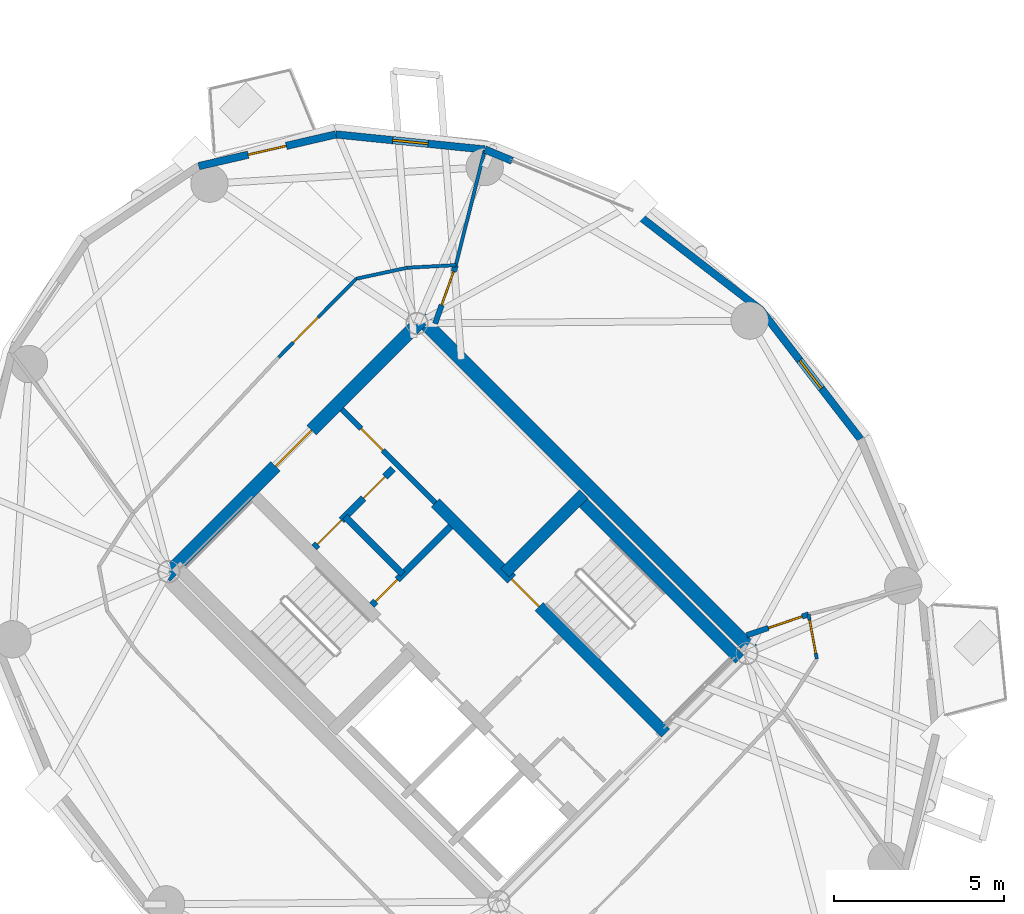
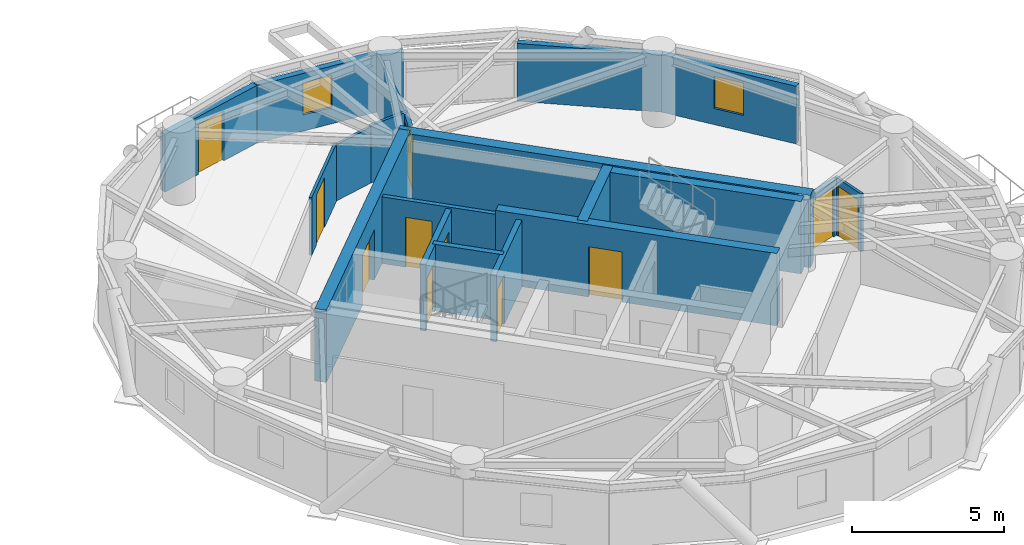
# One storey, part 12 of 16: 21 walls, 11 doors, 2 windows, 13 openings.
"""IFC4 building model written with IfcOpenShell, lengths in metres."""

from ifc_helpers import new_model, si_unit, direction, frame, frame_2d, origin, place, context, subcontext, project, spatial, rectangle, extrude, source, transform, mapped, material, layer, layer_set, type_object, element, fill, save


model = new_model("IFC4")

# Units and contexts
model_context = context("Model", 3, precision=1e-05, world=origin(), true_north=direction((0.0, 1.0)))
body_context = subcontext(model_context, "Body", "Model", "MODEL_VIEW")
ifc_project = project(units=[si_unit("LENGTHUNIT", "METRE"), si_unit("AREAUNIT", "SQUARE_METRE"), si_unit("VOLUMEUNIT", "CUBIC_METRE"), si_unit("PLANEANGLEUNIT", "RADIAN"), si_unit("MASSUNIT", "GRAM", prefix="KILO")], contexts=[model_context])

# Site, building, storey
site_placement = place(None, origin())
site = spatial("IfcSite", under=ifc_project, at=site_placement, CompositionType="ELEMENT")
building_placement = place(site_placement, origin())
building = spatial("IfcBuilding", under=site, at=building_placement, Name="Cununo Teusaquillo Station Towers", CompositionType="ELEMENT")
storey_placement = place(building_placement, frame((0.0, 0.0, 196.659912109375)))
storey = spatial("IfcBuildingStorey", under=building, at=storey_placement, Name="L62", CompositionType="ELEMENT", Elevation=196.659912109375)

# Wall, opening, door
ifc_material_1 = material(Name="Concrete C50/60", Category="concrete")
ifc_layer_1 = layer(ifc_material_1, 0.35009765625)
ifc_layer_set_1 = layer_set([ifc_layer_1], Name="Concrete C50/60")
wall_type_1 = type_object("IfcWallType", Name="WL-CORE-350", PredefinedType="SHEAR", material=ifc_layer_set_1)
wall_1_placement = place(storey_placement, frame((63.627197265625, 20.939697265625, 0.0), z_axis=(0.0, 0.0, 1.0), x_axis=(-0.707119496762, 0.707094065383, 0.0)))
wall_1 = element("IfcWall", 1, at=wall_1_placement, inside=storey, type_object=wall_type_1, Name="L62 Tower B Core Shear Wall IE", PredefinedType="SHEAR", context=body_context, shape_type="SweptSolid", body=[
    extrude(rectangle(XDim=9.60009765625, YDim=0.35009765625, at=frame_2d((4.800048828125, 0.0))), origin(), (0.0, 0.0, 1.0), 2.91015625),
])
shared_shape_1 = source(origin(), body_context, "Body", "SweptSolid", [
    extrude(rectangle(XDim=1.14990234375, YDim=2.02001953125, at=frame_2d((0.574951171875, 1.010009765625))), frame((0.0, 0.18505859375, 0.0), z_axis=(0.0, -1.0, 0.0), x_axis=(1.0, 0.0, 0.0)), (0.0, 0.0, 1.0), 0.3701171875),
])
opening_1_placement = place(wall_1_placement, frame((5.280029296875, 0.0, 0.0)))
opening_1 = element("IfcOpeningElement", 2, at=opening_1_placement, cuts=wall_1, Name="Opening D-ST1", PredefinedType="OPENING", context=body_context, shape_type="MappedRepresentation", body=[
    mapped(shared_shape_1, transform((0.0, 0.0, 0.0), x_axis=(1.0, 0.0, 0.0), y_axis=(0.0, 1.0, 0.0), z_axis=(0.0, 0.0, 1.0), scale=1.0)),
])
ifc_material_2 = material(Name="Galvanised fire-rated hollow steel door assembly", Category="steel")
door_type_1 = type_object("IfcDoorType", Name="DR-STAIR-1150", OperationType="NOTDEFINED", PredefinedType="DOOR", material=ifc_material_2)
shared_shape_2 = source(origin(), body_context, "Body", "SweptSolid", [
    extrude(rectangle(XDim=1.14990234375, YDim=2.02001953125, at=frame_2d((0.574951171875, 1.010009765625))), frame((0.0, 0.02490234375, 0.0), z_axis=(0.0, -1.0, 0.0), x_axis=(1.0, 0.0, 0.0)), (0.0, 0.0, 1.0), 0.050048828125),
])
door_1_placement = place(opening_1_placement, origin())
door_1 = element("IfcDoor", 3, at=door_1_placement, inside=storey, type_object=door_type_1, Name="L62 Tower B Exit Stair 2 Fire Door", OperationType="SINGLE_SWING_RIGHT", OverallHeight=2.02001953125, OverallWidth=1.14990234375, PredefinedType="DOOR", context=body_context, shape_type="MappedRepresentation", body=[
    mapped(shared_shape_2, transform((0.0, 0.0, 0.0), x_axis=(1.0, 0.0, 0.0), y_axis=(0.0, 1.0, 0.0), z_axis=(0.0, 0.0, 1.0), scale=1.0)),
])
fill(opening_1, door_1)

# Walls
wall_2_placement = place(storey_placement, frame((65.81201171875, 23.124755859375, 0.0), z_axis=(0.0, 0.0, 1.0), x_axis=(-0.707106781187, 0.707106781187, 0.0)))
element("IfcWall", 4, at=wall_2_placement, inside=storey, type_object=wall_type_1, Name="L62 Tower B Core Shear Wall ST2E", PredefinedType="SHEAR", context=body_context, shape_type="SweptSolid", body=[
    extrude(rectangle(XDim=6.695068359375, YDim=0.35009765625, at=frame_2d((3.34765625, 0.0))), origin(), (0.0, 0.0, 1.0), 2.91015625),
])
wall_3_placement = place(storey_placement, frame((58.89306640625, 25.673828125, 0.0), z_axis=(0.0, 0.0, 1.0), x_axis=(0.707106781187, 0.707106781187, 0.0)))
element("IfcWall", 5, at=wall_3_placement, inside=storey, type_object=wall_type_1, Name="L62 Tower B Core Shear Wall ST2N", PredefinedType="SHEAR", context=body_context, shape_type="SweptSolid", body=[
    extrude(rectangle(XDim=3.284912109375, YDim=0.35009765625, at=frame_2d((1.642578125, 0.0))), origin(), (0.0, 0.0, 1.0), 2.91015625),
])
ifc_material_3 = material(Name="Concrete C50/60", Category="concrete")
ifc_layer_2 = layer(ifc_material_3, 0.39990234375)
ifc_layer_set_2 = layer_set([ifc_layer_2], Name="Concrete C50/60")
wall_type_2 = type_object("IfcWallType", Name="WL-CORE-400", PredefinedType="SHEAR", material=ifc_layer_set_2)
wall_4_placement = place(storey_placement, frame((66.26806640625, 23.2978515625, 0.0), z_axis=(0.0, 0.0, 1.0), x_axis=(-0.707106781187, 0.707106781187, 0.0)))
element("IfcWall", 6, at=wall_4_placement, inside=storey, type_object=wall_type_2, Name="L62 Tower B Core Shear Wall E", PredefinedType="SHEAR", context=body_context, shape_type="SweptSolid", body=[
    extrude(rectangle(XDim=14.10009765625, YDim=0.39990234375, at=frame_2d((7.050048828125, 0.0))), origin(), (0.0, 0.0, 1.0), 2.91015625),
])

# Wall, opening, door
wall_5_placement = place(storey_placement, frame((48.873291015625, 25.560791015625, 0.0), z_axis=(0.0, 0.0, 1.0), x_axis=(0.707106781187, 0.707106781187, 0.0)))
wall_5 = element("IfcWall", 7, at=wall_5_placement, inside=storey, type_object=wall_type_2, Name="L62 Tower B Core Shear Wall N", PredefinedType="SHEAR", context=body_context, shape_type="SweptSolid", body=[
    extrude(rectangle(XDim=10.69970703125, YDim=0.39990234375, at=frame_2d((5.349853515625, 0.0))), origin(), (0.0, 0.0, 1.0), 2.91015625),
])
shared_shape_3 = source(origin(), body_context, "Body", "SweptSolid", [
    extrude(rectangle(XDim=1.5, YDim=2.02001953125, at=frame_2d((0.75, 1.010009765625))), frame((0.0, 0.2099609375, 0.0), z_axis=(0.0, -1.0, 0.0), x_axis=(1.0, 0.0, 0.0)), (0.0, 0.0, 1.0), 0.419921875),
])
opening_2_placement = place(wall_5_placement, frame((4.60009765625, 0.0, 0.0)))
opening_2 = element("IfcOpeningElement", 8, at=opening_2_placement, cuts=wall_5, Name="Opening D-LB1", PredefinedType="OPENING", context=body_context, shape_type="MappedRepresentation", body=[
    mapped(shared_shape_3, transform((0.0, 0.0, 0.0), x_axis=(1.0, 0.0, 0.0), y_axis=(0.0, 1.0, 0.0), z_axis=(0.0, 0.0, 1.0), scale=1.0)),
])
ifc_material_4 = material(Name="Galvanised fire-rated hollow steel door assembly", Category="steel")
door_type_2 = type_object("IfcDoorType", Name="DR-LOBBY-1500", OperationType="DOUBLE_DOOR_SINGLE_SWING", PredefinedType="DOOR", material=ifc_material_4)
shared_shape_4 = source(origin(), body_context, "Body", "SweptSolid", [
    extrude(rectangle(XDim=1.5, YDim=2.02001953125, at=frame_2d((0.75, 1.010009765625))), frame((0.0, 0.02490234375, 0.0), z_axis=(0.0, -1.0, 0.0), x_axis=(1.0, 0.0, 0.0)), (0.0, 0.0, 1.0), 0.050048828125),
])
door_2_placement = place(opening_2_placement, origin())
door_2 = element("IfcDoor", 9, at=door_2_placement, inside=storey, type_object=door_type_2, Name="L62 Tower B North Core Lift Lobby Door", OperationType="DOUBLE_DOOR_SINGLE_SWING", OverallHeight=2.02001953125, OverallWidth=1.5, PredefinedType="DOOR", context=body_context, shape_type="MappedRepresentation", body=[
    mapped(shared_shape_4, transform((0.0, 0.0, 0.0), x_axis=(1.0, 0.0, 0.0), y_axis=(0.0, 1.0, 0.0), z_axis=(0.0, 0.0, 1.0), scale=1.0)),
])
fill(opening_2, door_2)

# Walls
ifc_material_5 = material(Name="Precast concrete C40/50", Category="concrete")
ifc_layer_3 = layer(ifc_material_5, 0.219970703125)
ifc_layer_set_3 = layer_set([ifc_layer_3], Name="Precast concrete C40/50")
wall_type_3 = type_object("IfcWallType", Name="WL-EXT-220", PredefinedType="SOLIDWALL", material=ifc_layer_set_3)
wall_6_placement = place(storey_placement, frame((62.61328125, 36.373779296875, 0.0), z_axis=(0.0, 0.0, 1.0), x_axis=(0.791998462147, -0.610523083886, 0.0)))
element("IfcWall", 10, at=wall_6_placement, inside=storey, type_object=wall_type_3, Name="L62 Tower B Exterior Facade Wall C00", PredefinedType="SOLIDWALL", context=body_context, shape_type="SweptSolid", body=[
    extrude(rectangle(XDim=4.8203125, YDim=0.219970703125, at=frame_2d((2.41015625, 0.0))), origin(), (0.0, 0.0, 1.0), 2.322021484375),
])
wall_7_placement = place(storey_placement, frame((58.29541015625, 38.15478515625, 0.0), z_axis=(0.0, 0.0, 1.0), x_axis=(0.924515260676, -0.381145028536, 0.0)))
element("IfcWall", 11, at=wall_7_placement, inside=storey, type_object=wall_type_3, Name="L62 Tower B Column Pier Cladding Wall C01-PA", PredefinedType="SOLIDWALL", context=body_context, shape_type="SweptSolid", body=[
    extrude(rectangle(XDim=0.869873046875, YDim=0.219970703125, at=frame_2d((0.43505859375, 0.0))), origin(), (0.0, 0.0, 1.0), 2.322021484375),
])

# Wall, opening, window
wall_8_placement = place(storey_placement, frame((53.899658203125, 38.59912109375, 0.0), z_axis=(0.0, 0.0, 1.0), x_axis=(0.994929930991, -0.100570534541, 0.0)))
wall_8 = element("IfcWall", 12, at=wall_8_placement, inside=storey, type_object=wall_type_3, Name="L62 Tower B Exterior Facade Wall C02", PredefinedType="SOLIDWALL", context=body_context, shape_type="SweptSolid", body=[
    extrude(rectangle(XDim=4.418212890625, YDim=0.219970703125, at=frame_2d((2.208984375, 0.0))), origin(), (0.0, 0.0, 1.0), 2.322021484375),
])
shared_shape_5 = source(origin(), body_context, "Body", "SweptSolid", [
    extrude(rectangle(XDim=1.050048828125, YDim=1.300048828125, at=frame_2d((0.52490234375, 0.64990234375))), frame((0.0, 0.119873046875, 0.0), z_axis=(0.0, -1.0, 0.0), x_axis=(1.0, 0.0, 0.0)), (0.0, 0.0, 1.0), 0.239990234375),
])
opening_3_placement = place(wall_8_placement, frame((1.68408203125, 0.0, 0.64990234375)))
opening_3 = element("IfcOpeningElement", 13, at=opening_3_placement, cuts=wall_8, Name="Opening WN-04", PredefinedType="OPENING", context=body_context, shape_type="MappedRepresentation", body=[
    mapped(shared_shape_5, transform((0.0, 0.0, 0.0), x_axis=(1.0, 0.0, 0.0), y_axis=(0.0, 1.0, 0.0), z_axis=(0.0, 0.0, 1.0), scale=1.0)),
])
ifc_material_6 = material(Name="Operable acoustic tinted low-E double glazing", Category="glass")
window_type = type_object("IfcWindowType", Name="WIN-BAL-1050", PartitioningType="SINGLE_PANEL", PredefinedType="WINDOW", material=ifc_material_6)
shared_shape_6 = source(origin(), body_context, "Body", "SweptSolid", [
    extrude(rectangle(XDim=1.050048828125, YDim=1.300048828125, at=frame_2d((0.52490234375, 0.64990234375))), frame((0.0, 0.030029296875, 0.0), z_axis=(0.0, -1.0, 0.0), x_axis=(1.0, 0.0, 0.0)), (0.0, 0.0, 1.0), 0.06005859375),
])
window_1_placement = place(opening_3_placement, origin())
window_1 = element("IfcWindow", 14, at=window_1_placement, inside=storey, type_object=window_type, Name="L62 Tower B Facade Window C02", OverallHeight=1.300048828125, OverallWidth=1.050048828125, PartitioningType="SINGLE_PANEL", PredefinedType="WINDOW", context=body_context, shape_type="MappedRepresentation", body=[
    mapped(shared_shape_6, transform((0.0, 0.0, 0.0), x_axis=(1.0, 0.0, 0.0), y_axis=(0.0, 1.0, 0.0), z_axis=(0.0, 0.0, 1.0), scale=1.0)),
])
fill(opening_3, window_1)

# Wall, opening, door
wall_9_placement = place(storey_placement, frame((49.856201171875, 37.663330078125, 0.0), z_axis=(0.0, 0.0, 1.0), x_axis=(0.974249228678, 0.225473813158, 0.0)))
wall_9 = element("IfcWall", 15, at=wall_9_placement, inside=storey, type_object=wall_type_3, Name="L62 Tower B Exterior Facade Wall C03", PredefinedType="SOLIDWALL", context=body_context, shape_type="SweptSolid", body=[
    extrude(rectangle(XDim=4.150390625, YDim=0.219970703125, at=frame_2d((2.0751953125, 0.0))), origin(), (0.0, 0.0, 1.0), 2.322021484375),
])
shared_shape_7 = source(origin(), body_context, "Body", "SweptSolid", [
    extrude(rectangle(XDim=1.14990234375, YDim=2.0048828125, at=frame_2d((0.574951171875, 1.00244140625))), frame((0.0, 0.119873046875, 0.0), z_axis=(0.0, -1.0, 0.0), x_axis=(1.0, 0.0, 0.0)), (0.0, 0.0, 1.0), 0.239990234375),
])
opening_4_placement = place(wall_9_placement, frame((1.5, 0.0, 0.0)))
opening_4 = element("IfcOpeningElement", 16, at=opening_4_placement, cuts=wall_9, Name="Opening ED-03", PredefinedType="OPENING", context=body_context, shape_type="MappedRepresentation", body=[
    mapped(shared_shape_7, transform((0.0, 0.0, 0.0), x_axis=(1.0, 0.0, 0.0), y_axis=(0.0, 1.0, 0.0), z_axis=(0.0, 0.0, 1.0), scale=1.0)),
])
ifc_material_7 = material(Name="Anodised dark bronze aluminium EN AW-6063-T6", Category="aluminium")
door_type_3 = type_object("IfcDoorType", Name="DR-EXT-BAL", OperationType="NOTDEFINED", PredefinedType="DOOR", material=ifc_material_7)
shared_shape_8 = source(origin(), body_context, "Body", "SweptSolid", [
    extrude(rectangle(XDim=1.14990234375, YDim=2.0048828125, at=frame_2d((0.574951171875, 1.00244140625))), frame((0.0, 0.02490234375, 0.0), z_axis=(0.0, -1.0, 0.0), x_axis=(1.0, 0.0, 0.0)), (0.0, 0.0, 1.0), 0.050048828125),
])
door_3_placement = place(opening_4_placement, origin())
door_3 = element("IfcDoor", 17, at=door_3_placement, inside=storey, type_object=door_type_3, Name="L62 Tower B Tree Balcony Door C03", OperationType="SINGLE_SWING_LEFT", OverallHeight=2.0048828125, OverallWidth=1.14990234375, PredefinedType="DOOR", context=body_context, shape_type="MappedRepresentation", body=[
    mapped(shared_shape_8, transform((0.0, 0.0, 0.0), x_axis=(1.0, 0.0, 0.0), y_axis=(0.0, 1.0, 0.0), z_axis=(0.0, 0.0, 1.0), scale=1.0)),
])
fill(opening_4, door_3)

# Wall, opening, window
wall_10_placement = place(storey_placement, frame((66.430908203125, 33.430908203125, 0.0), z_axis=(0.0, 0.0, 1.0), x_axis=(0.610523083886, -0.791998462147, 0.0)))
wall_10 = element("IfcWall", 18, at=wall_10_placement, inside=storey, type_object=wall_type_3, Name="L62 Tower B Exterior Facade Wall C19", PredefinedType="SOLIDWALL", context=body_context, shape_type="SweptSolid", body=[
    extrude(rectangle(XDim=4.8203125, YDim=0.219970703125, at=frame_2d((2.41015625, 0.0))), origin(), (0.0, 0.0, 1.0), 2.322021484375),
])
opening_5_placement = place(wall_10_placement, frame((1.885009765625, 0.0, 0.64990234375)))
opening_5 = element("IfcOpeningElement", 19, at=opening_5_placement, cuts=wall_10, Name="Opening WN-04", PredefinedType="OPENING", context=body_context, shape_type="MappedRepresentation", body=[
    mapped(shared_shape_5, transform((0.0, 0.0, 0.0), x_axis=(1.0, 0.0, 0.0), y_axis=(0.0, 1.0, 0.0), z_axis=(0.0, 0.0, 1.0), scale=1.0)),
])
window_2_placement = place(opening_5_placement, origin())
window_2 = element("IfcWindow", 20, at=window_2_placement, inside=storey, type_object=window_type, Name="L62 Tower B Facade Window C19", OverallHeight=1.300048828125, OverallWidth=1.050048828125, PartitioningType="SINGLE_PANEL", PredefinedType="WINDOW", context=body_context, shape_type="MappedRepresentation", body=[
    mapped(shared_shape_6, transform((0.0, 0.0, 0.0), x_axis=(1.0, 0.0, 0.0), y_axis=(0.0, 1.0, 0.0), z_axis=(0.0, 0.0, 1.0), scale=1.0)),
])
fill(opening_5, window_2)

# Walls
ifc_material_8 = material(Name="Fire-rated gypsum plasterboard partition assembly", Category="gypsum")
ifc_layer_4 = layer(ifc_material_8, 0.10009765625)
ifc_layer_set_4 = layer_set([ifc_layer_4], Name="Fire-rated gypsum plasterboard partition assembly")
wall_type_4 = type_object("IfcWallType", Name="WL-PART-100", PredefinedType="MOVABLE", material=ifc_layer_set_4)
wall_11_placement = place(storey_placement, frame((57.4404296875, 34.743896484375, 0.0), z_axis=(0.0, 0.0, 1.0), x_axis=(-0.998578025565, -0.053309725738, 0.0)))
element("IfcWall", 21, at=wall_11_placement, inside=storey, type_object=wall_type_4, Name="L62 Tower B Corridor Ring Wall C02", PredefinedType="MOVABLE", context=body_context, shape_type="SweptSolid", body=[
    extrude(rectangle(XDim=1.433349609375, YDim=0.10009765625, at=frame_2d((0.716796875, 0.0))), origin(), (0.0, 0.0, 1.0), 2.322021484375),
])
wall_12_placement = place(storey_placement, frame((56.009033203125, 34.66748046875, 0.0), z_axis=(0.0, 0.0, 1.0), x_axis=(-0.977625498152, -0.210353001795, 0.0)))
element("IfcWall", 22, at=wall_12_placement, inside=storey, type_object=wall_type_4, Name="L62 Tower B Corridor Ring Wall C03", PredefinedType="MOVABLE", context=body_context, shape_type="SweptSolid", body=[
    extrude(rectangle(XDim=1.537841796875, YDim=0.10009765625, at=frame_2d((0.76904296875, 0.0))), origin(), (0.0, 0.0, 1.0), 2.255126953125),
])

# Wall, opening, door
wall_13_placement = place(storey_placement, frame((54.505615234375, 34.343994140625, 0.0), z_axis=(0.0, 0.0, 1.0), x_axis=(-0.703053402247, -0.711137056824, 0.0)))
wall_13 = element("IfcWall", 23, at=wall_13_placement, inside=storey, type_object=wall_type_4, Name="L62 Tower B Corridor Ring Wall C04", PredefinedType="MOVABLE", context=body_context, shape_type="SweptSolid", body=[
    extrude(rectangle(XDim=3.26171875, YDim=0.10009765625, at=frame_2d((1.630859375, 0.0))), origin(), (0.0, 0.0, 1.0), 2.322021484375),
])
shared_shape_9 = source(origin(), body_context, "Body", "SweptSolid", [
    extrude(rectangle(XDim=1.050048828125, YDim=2.014892578125, at=frame_2d((0.52490234375, 1.00732421875))), frame((0.0, 0.06005859375, 0.0), z_axis=(0.0, -1.0, 0.0), x_axis=(1.0, 0.0, 0.0)), (0.0, 0.0, 1.0), 0.1201171875),
])
opening_6_placement = place(wall_13_placement, frame((1.598876953125, 0.0, 0.0)))
opening_6 = element("IfcOpeningElement", 24, at=opening_6_placement, cuts=wall_13, Name="Opening D-SU1", PredefinedType="OPENING", context=body_context, shape_type="MappedRepresentation", body=[
    mapped(shared_shape_9, transform((0.0, 0.0, 0.0), x_axis=(1.0, 0.0, 0.0), y_axis=(0.0, 1.0, 0.0), z_axis=(0.0, 0.0, 1.0), scale=1.0)),
])
ifc_material_9 = material(Name="Acoustic solid-core hardwood leaf assembly", Category="wood")
door_type_4 = type_object("IfcDoorType", Name="DR-SUITE-1050", OperationType="NOTDEFINED", PredefinedType="DOOR", material=ifc_material_9)
shared_shape_10 = source(origin(), body_context, "Body", "SweptSolid", [
    extrude(rectangle(XDim=1.050048828125, YDim=2.014892578125, at=frame_2d((0.52490234375, 1.00732421875))), frame((0.0, 0.02490234375, 0.0), z_axis=(0.0, -1.0, 0.0), x_axis=(1.0, 0.0, 0.0)), (0.0, 0.0, 1.0), 0.050048828125),
])
door_4_placement = place(opening_6_placement, origin())
door_4 = element("IfcDoor", 25, at=door_4_placement, inside=storey, type_object=door_type_4, Name="L62 Tower B Family Office Investment Landscape Hall Entrance Door", OperationType="SINGLE_SWING_RIGHT", OverallHeight=2.014892578125, OverallWidth=1.050048828125, PredefinedType="DOOR", context=body_context, shape_type="MappedRepresentation", body=[
    mapped(shared_shape_10, transform((0.0, 0.0, 0.0), x_axis=(1.0, 0.0, 0.0), y_axis=(0.0, 1.0, 0.0), z_axis=(0.0, 0.0, 1.0), scale=1.0)),
])
fill(opening_6, door_4)

wall_14_placement = place(storey_placement, frame((68.08642578125, 23.12939453125, 0.0), z_axis=(0.0, 0.0, 1.0), x_axis=(-0.182004193146, 0.983297754334, 0.0)))
wall_14 = element("IfcWall", 26, at=wall_14_placement, inside=storey, type_object=wall_type_4, Name="L62 Tower B Corridor Ring Wall C17", PredefinedType="MOVABLE", context=body_context, shape_type="SweptSolid", body=[
    extrude(rectangle(XDim=1.3359375, YDim=0.10009765625, at=frame_2d((0.66796875, 0.0))), origin(), (0.0, 0.0, 1.0), 2.322021484375),
])
shared_shape_11 = source(origin(), body_context, "Body", "SweptSolid", [
    extrude(rectangle(XDim=1.0, YDim=2.014892578125, at=frame_2d((0.5, 1.00732421875))), frame((0.0, 0.06005859375, 0.0), z_axis=(0.0, -1.0, 0.0), x_axis=(1.0, 0.0, 0.0)), (0.0, 0.0, 1.0), 0.1201171875),
])
opening_7_placement = place(wall_14_placement, frame((0.16796875, 0.0, 0.0)))
opening_7 = element("IfcOpeningElement", 27, at=opening_7_placement, cuts=wall_14, Name="Opening D-AC1", PredefinedType="OPENING", context=body_context, shape_type="MappedRepresentation", body=[
    mapped(shared_shape_11, transform((0.0, 0.0, 0.0), x_axis=(1.0, 0.0, 0.0), y_axis=(0.0, 1.0, 0.0), z_axis=(0.0, 0.0, 1.0), scale=1.0)),
])
ifc_material_10 = material(Name="Acoustic solid-core hardwood leaf assembly", Category="wood")
door_type_5 = type_object("IfcDoorType", Name="DR-ACC-1000", OperationType="NOTDEFINED", PredefinedType="DOOR", material=ifc_material_10)
shared_shape_12 = source(origin(), body_context, "Body", "SweptSolid", [
    extrude(rectangle(XDim=1.0, YDim=2.014892578125, at=frame_2d((0.5, 1.00732421875))), frame((0.0, 0.02490234375, 0.0), z_axis=(0.0, -1.0, 0.0), x_axis=(1.0, 0.0, 0.0)), (0.0, 0.0, 1.0), 0.050048828125),
])
door_5_placement = place(opening_7_placement, origin())
door_5 = element("IfcDoor", 28, at=door_5_placement, inside=storey, type_object=door_type_5, Name="L62 Tower B Public Accessible Restroom WC Entrance Door", OperationType="SINGLE_SWING_LEFT", OverallHeight=2.014892578125, OverallWidth=1.0, PredefinedType="DOOR", context=body_context, shape_type="MappedRepresentation", body=[
    mapped(shared_shape_12, transform((0.0, 0.0, 0.0), x_axis=(1.0, 0.0, 0.0), y_axis=(0.0, 1.0, 0.0), z_axis=(0.0, 0.0, 1.0), scale=1.0)),
])
fill(opening_7, door_5)

# Wall
wall_15_placement = place(storey_placement, frame((57.4404296875, 34.743896484375, 0.0), z_axis=(0.0, 0.0, 1.0), x_axis=(0.243619816457, 0.969870808422, 0.0)))
element("IfcWall", 29, at=wall_15_placement, inside=storey, type_object=wall_type_4, Name="L62 Tower B Radial Suite Partition R01", PredefinedType="MOVABLE", context=body_context, shape_type="SweptSolid", body=[
    extrude(rectangle(XDim=3.496337890625, YDim=0.10009765625, at=frame_2d((1.748046875, 0.0))), origin(), (0.0, 0.0, 1.0), 2.322021484375),
])

# Wall, opening, door
ifc_material_11 = material(Name="Fire-rated gypsum plasterboard partition assembly", Category="gypsum")
ifc_layer_5 = layer(ifc_material_11, 0.159912109375)
ifc_layer_set_5 = layer_set([ifc_layer_5], Name="Fire-rated gypsum plasterboard partition assembly")
wall_type_5 = type_object("IfcWallType", Name="WL-PART-160", PredefinedType="PARTITIONING", material=ifc_layer_set_5)
wall_16_placement = place(storey_placement, frame((56.8388671875, 27.727783203125, 0.0), z_axis=(0.0, 0.0, 1.0), x_axis=(-0.707106781187, 0.707106781187, 0.0)))
wall_16 = element("IfcWall", 30, at=wall_16_placement, inside=storey, type_object=wall_type_5, Name="L62 Tower B Reclaimed Core Bay Entry Wall", PredefinedType="PARTITIONING", context=body_context, shape_type="SweptSolid", body=[
    extrude(rectangle(XDim=3.900146484375, YDim=0.159912109375, at=frame_2d((1.9501953125, 0.0))), origin(), (0.0, 0.0, 1.0), 2.68505859375),
])
shared_shape_13 = source(origin(), body_context, "Body", "SweptSolid", [
    extrude(rectangle(XDim=0.89990234375, YDim=2.0048828125, at=frame_2d((0.449951171875, 1.00244140625))), frame((0.0, 0.08984375, 0.0), z_axis=(0.0, -1.0, 0.0), x_axis=(1.0, 0.0, 0.0)), (0.0, 0.0, 1.0), 0.179931640625),
])
opening_8_placement = place(wall_16_placement, frame((2.199951171875, 0.0, 0.0)))
opening_8 = element("IfcOpeningElement", 31, at=opening_8_placement, cuts=wall_16, Name="Opening D-IN1", PredefinedType="OPENING", context=body_context, shape_type="MappedRepresentation", body=[
    mapped(shared_shape_13, transform((0.0, 0.0, 0.0), x_axis=(1.0, 0.0, 0.0), y_axis=(0.0, 1.0, 0.0), z_axis=(0.0, 0.0, 1.0), scale=1.0)),
])
ifc_material_12 = material(Name="Acoustic solid-core hardwood leaf assembly", Category="wood")
door_type_6 = type_object("IfcDoorType", Name="DR-INT-900", OperationType="NOTDEFINED", PredefinedType="DOOR", material=ifc_material_12)
shared_shape_14 = source(origin(), body_context, "Body", "SweptSolid", [
    extrude(rectangle(XDim=0.89990234375, YDim=2.0048828125, at=frame_2d((0.449951171875, 1.00244140625))), frame((0.0, 0.02490234375, 0.0), z_axis=(0.0, -1.0, 0.0), x_axis=(1.0, 0.0, 0.0)), (0.0, 0.0, 1.0), 0.050048828125),
])
door_6_placement = place(opening_8_placement, origin())
door_6 = element("IfcDoor", 32, at=door_6_placement, inside=storey, type_object=door_type_6, Name="L62 Tower B Reclaimed Core Lounge Door", OperationType="SINGLE_SWING_LEFT", OverallHeight=2.0048828125, OverallWidth=0.89990234375, PredefinedType="DOOR", context=body_context, shape_type="MappedRepresentation", body=[
    mapped(shared_shape_14, transform((0.0, 0.0, 0.0), x_axis=(1.0, 0.0, 0.0), y_axis=(0.0, 1.0, 0.0), z_axis=(0.0, 0.0, 1.0), scale=1.0)),
])
fill(opening_8, door_6)

wall_17_placement = place(storey_placement, frame((56.828125, 33.0205078125, 0.0), z_axis=(0.0, 0.0, 1.0), x_axis=(0.334788446034, 0.942293317605, 0.0)))
wall_17 = element("IfcWall", 33, at=wall_17_placement, inside=storey, type_object=wall_type_5, Name="L62 Tower B East Salon Corridor Portal Wall NE", PredefinedType="PARTITIONING", context=body_context, shape_type="SweptSolid", body=[
    extrude(rectangle(XDim=1.828857421875, YDim=0.159912109375, at=frame_2d((0.91455078125, 0.0))), origin(), (0.0, 0.0, 1.0), 2.255126953125),
])
shared_shape_15 = source(origin(), body_context, "Body", "SweptSolid", [
    extrude(rectangle(XDim=1.050048828125, YDim=2.014892578125, at=frame_2d((0.52490234375, 1.00732421875))), frame((0.0, 0.08984375, 0.0), z_axis=(0.0, -1.0, 0.0), x_axis=(1.0, 0.0, 0.0)), (0.0, 0.0, 1.0), 0.179931640625),
])
opening_9_placement = place(wall_17_placement, frame((0.578857421875, 0.0, 0.0)))
opening_9 = element("IfcOpeningElement", 34, at=opening_9_placement, cuts=wall_17, Name="Opening D-SU1", PredefinedType="OPENING", context=body_context, shape_type="MappedRepresentation", body=[
    mapped(shared_shape_15, transform((0.0, 0.0, 0.0), x_axis=(1.0, 0.0, 0.0), y_axis=(0.0, 1.0, 0.0), z_axis=(0.0, 0.0, 1.0), scale=1.0)),
])
door_7_placement = place(opening_9_placement, origin())
door_7 = element("IfcDoor", 35, at=door_7_placement, inside=storey, type_object=door_type_4, Name="L62 Tower B East Panorama Sky Salon Door NE", OperationType="SINGLE_SWING_RIGHT", OverallHeight=2.014892578125, OverallWidth=1.050048828125, PredefinedType="DOOR", context=body_context, shape_type="MappedRepresentation", body=[
    mapped(shared_shape_10, transform((0.0, 0.0, 0.0), x_axis=(1.0, 0.0, 0.0), y_axis=(0.0, 1.0, 0.0), z_axis=(0.0, 0.0, 1.0), scale=1.0)),
])
fill(opening_9, door_7)

wall_18_placement = place(storey_placement, frame((66.0205078125, 23.828125, 0.0), z_axis=(0.0, 0.0, 1.0), x_axis=(0.947522075691, 0.319690344049, 0.0)))
wall_18 = element("IfcWall", 36, at=wall_18_placement, inside=storey, type_object=wall_type_5, Name="L62 Tower B East Salon Corridor Portal Wall SE", PredefinedType="PARTITIONING", context=body_context, shape_type="SweptSolid", body=[
    extrude(rectangle(XDim=1.923583984375, YDim=0.159912109375, at=frame_2d((0.9619140625, 0.0))), origin(), (0.0, 0.0, 1.0), 2.255126953125),
])
opening_10_placement = place(wall_18_placement, frame((0.673583984375, 0.0, 0.0)))
opening_10 = element("IfcOpeningElement", 37, at=opening_10_placement, cuts=wall_18, Name="Opening D-SU1", PredefinedType="OPENING", context=body_context, shape_type="MappedRepresentation", body=[
    mapped(shared_shape_15, transform((0.0, 0.0, 0.0), x_axis=(1.0, 0.0, 0.0), y_axis=(0.0, 1.0, 0.0), z_axis=(0.0, 0.0, 1.0), scale=1.0)),
])
door_8_placement = place(opening_10_placement, origin())
door_8 = element("IfcDoor", 38, at=door_8_placement, inside=storey, type_object=door_type_4, Name="L62 Tower B East Panorama Sky Salon Door SE", OperationType="SINGLE_SWING_LEFT", OverallHeight=2.014892578125, OverallWidth=1.050048828125, PredefinedType="DOOR", context=body_context, shape_type="MappedRepresentation", body=[
    mapped(shared_shape_10, transform((0.0, 0.0, 0.0), x_axis=(1.0, 0.0, 0.0), y_axis=(0.0, 1.0, 0.0), z_axis=(0.0, 0.0, 1.0), scale=1.0)),
])
fill(opening_10, door_8)

ifc_material_13 = material(Name="Fire-rated gypsum plasterboard partition assembly", Category="gypsum")
ifc_layer_6 = layer(ifc_material_13, 0.199951171875)
ifc_layer_set_6 = layer_set([ifc_layer_6], Name="Fire-rated gypsum plasterboard partition assembly")
wall_type_6 = type_object("IfcWallType", Name="WL-PART-200", PredefinedType="PARTITIONING", material=ifc_layer_set_6)
wall_19_placement = place(storey_placement, frame((54.96142578125, 24.71923828125, 0.0), z_axis=(0.0, 0.0, 1.0), x_axis=(0.707106781187, 0.707106781187, 0.0)))
wall_19 = element("IfcWall", 39, at=wall_19_placement, inside=storey, type_object=wall_type_6, Name="L62 Tower B Firefighting Lift Lobby North Fire Wall", PredefinedType="PARTITIONING", context=body_context, shape_type="SweptSolid", body=[
    extrude(rectangle(XDim=3.280029296875, YDim=0.199951171875, at=frame_2d((1.64013671875, 0.0))), origin(), (0.0, 0.0, 1.0), 2.68505859375),
])
shared_shape_16 = source(origin(), body_context, "Body", "SweptSolid", [
    extrude(rectangle(XDim=0.89990234375, YDim=2.0048828125, at=frame_2d((0.449951171875, 1.00244140625))), frame((0.0, 0.10986328125, 0.0), z_axis=(0.0, -1.0, 0.0), x_axis=(1.0, 0.0, 0.0)), (0.0, 0.0, 1.0), 0.219970703125),
])
opening_11_placement = place(wall_19_placement, frame((0.159912109375, 0.0, 0.0)))
opening_11 = element("IfcOpeningElement", 40, at=opening_11_placement, cuts=wall_19, Name="Opening D-SR1", PredefinedType="OPENING", context=body_context, shape_type="MappedRepresentation", body=[
    mapped(shared_shape_16, transform((0.0, 0.0, 0.0), x_axis=(1.0, 0.0, 0.0), y_axis=(0.0, 1.0, 0.0), z_axis=(0.0, 0.0, 1.0), scale=1.0)),
])
ifc_material_14 = material(Name="Galvanised fire-rated hollow steel door assembly", Category="steel")
door_type_7 = type_object("IfcDoorType", Name="DR-STORE-900", OperationType="NOTDEFINED", PredefinedType="DOOR", material=ifc_material_14)
door_9_placement = place(opening_11_placement, origin())
door_9 = element("IfcDoor", 41, at=door_9_placement, inside=storey, type_object=door_type_7, Name="L62 Tower B Stair 1 Protected Vestibule South Door", OperationType="SINGLE_SWING_LEFT", OverallHeight=2.0048828125, OverallWidth=0.89990234375, PredefinedType="DOOR", context=body_context, shape_type="MappedRepresentation", body=[
    mapped(shared_shape_14, transform((0.0, 0.0, 0.0), x_axis=(1.0, 0.0, 0.0), y_axis=(0.0, 1.0, 0.0), z_axis=(0.0, 0.0, 1.0), scale=1.0)),
])
fill(opening_11, door_9)

# Wall
wall_20_placement = place(storey_placement, frame((55.873779296875, 25.63134765625, 0.0), z_axis=(0.0, 0.0, 1.0), x_axis=(-0.707157639372, 0.707055919343, 0.0)))
element("IfcWall", 42, at=wall_20_placement, inside=storey, type_object=wall_type_6, Name="L62 Tower B Stair 1 Vestibule Partition Wall", PredefinedType="PARTITIONING", context=body_context, shape_type="SweptSolid", body=[
    extrude(rectangle(XDim=2.400146484375, YDim=0.199951171875, at=frame_2d((1.2001953125, 0.0))), origin(), (0.0, 0.0, 1.0), 2.68505859375),
])

# Wall, openings, doors
wall_21_placement = place(storey_placement, frame((53.264404296875, 26.416259765625, 0.0), z_axis=(0.0, 0.0, 1.0), x_axis=(0.707106781187, 0.707106781187, 0.0)))
wall_21 = element("IfcWall", 43, at=wall_21_placement, inside=storey, type_object=wall_type_6, Name="L62 Tower B North Lift Lobby South Fire Wall", PredefinedType="PARTITIONING", context=body_context, shape_type="SweptSolid", body=[
    extrude(rectangle(XDim=3.280029296875, YDim=0.199951171875, at=frame_2d((1.64013671875, 0.0))), origin(), (0.0, 0.0, 1.0), 2.68505859375),
])
shared_shape_17 = source(origin(), body_context, "Body", "SweptSolid", [
    extrude(rectangle(XDim=1.0, YDim=2.014892578125, at=frame_2d((0.5, 1.00732421875))), frame((0.0, 0.10986328125, 0.0), z_axis=(0.0, -1.0, 0.0), x_axis=(1.0, 0.0, 0.0)), (0.0, 0.0, 1.0), 0.219970703125),
])
opening_12_placement = place(wall_21_placement, frame((0.139892578125, 0.0, 0.0)))
opening_12 = element("IfcOpeningElement", 44, at=opening_12_placement, cuts=wall_21, Name="Opening D-AC1", PredefinedType="OPENING", context=body_context, shape_type="MappedRepresentation", body=[
    mapped(shared_shape_17, transform((0.0, 0.0, 0.0), x_axis=(1.0, 0.0, 0.0), y_axis=(0.0, 1.0, 0.0), z_axis=(0.0, 0.0, 1.0), scale=1.0)),
])
opening_13_placement = place(wall_21_placement, frame((2.050048828125, 0.0, 0.0)))
opening_13 = element("IfcOpeningElement", 45, at=opening_13_placement, cuts=wall_21, Name="Opening D-SR1", PredefinedType="OPENING", context=body_context, shape_type="MappedRepresentation", body=[
    mapped(shared_shape_16, transform((0.0, 0.0, 0.0), x_axis=(1.0, 0.0, 0.0), y_axis=(0.0, 1.0, 0.0), z_axis=(0.0, 0.0, 1.0), scale=1.0)),
])
door_10_placement = place(opening_13_placement, origin())
door_10 = element("IfcDoor", 46, at=door_10_placement, inside=storey, type_object=door_type_7, Name="L62 Tower B Core Housekeeping & Linen Store Door", OperationType="SINGLE_SWING_RIGHT", OverallHeight=2.0048828125, OverallWidth=0.89990234375, PredefinedType="DOOR", context=body_context, shape_type="MappedRepresentation", body=[
    mapped(shared_shape_14, transform((0.0, 0.0, 0.0), x_axis=(1.0, 0.0, 0.0), y_axis=(0.0, 1.0, 0.0), z_axis=(0.0, 0.0, 1.0), scale=1.0)),
])
fill(opening_13, door_10)
door_11_placement = place(opening_12_placement, origin())
door_11 = element("IfcDoor", 47, at=door_11_placement, inside=storey, type_object=door_type_5, Name="L62 Tower B North Lift Lobby to Stair 1 Vestibule Door", OperationType="SINGLE_SWING_RIGHT", OverallHeight=2.014892578125, OverallWidth=1.0, PredefinedType="DOOR", context=body_context, shape_type="MappedRepresentation", body=[
    mapped(shared_shape_12, transform((0.0, 0.0, 0.0), x_axis=(1.0, 0.0, 0.0), y_axis=(0.0, 1.0, 0.0), z_axis=(0.0, 0.0, 1.0), scale=1.0)),
])
fill(opening_12, door_11)

save(model, "model.ifc")
